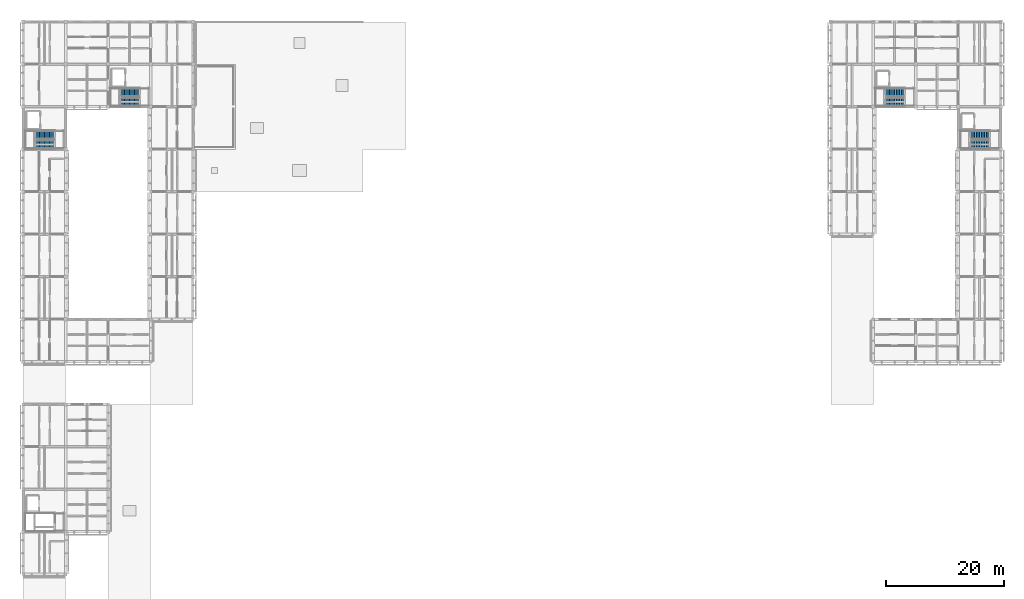
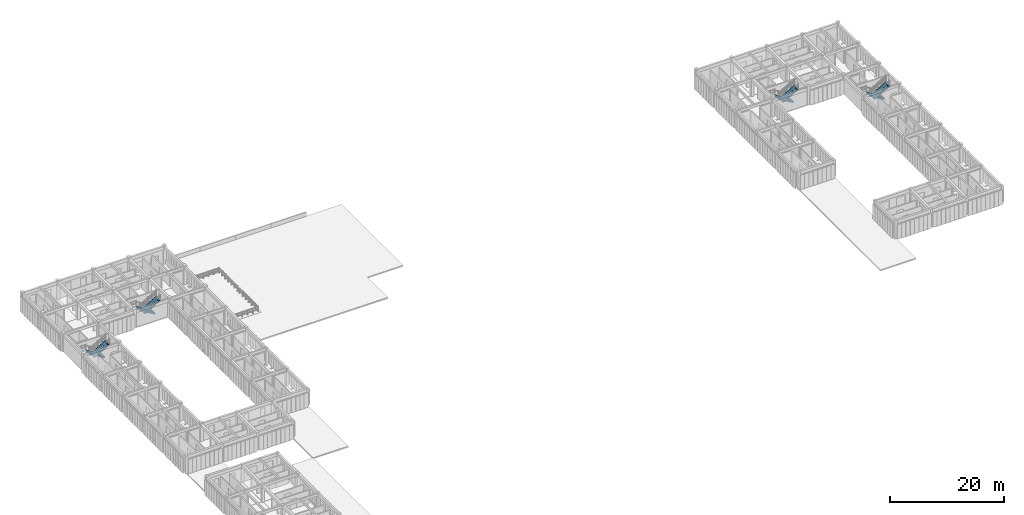
# One storey, part 61 of 67: 8 stair flights, 4 elements without a shape of their own.
"""IFC4 building model written with IfcOpenShell, lengths in metres."""

from ifc_helpers import new_model, si_unit, direction, frame, origin, place, context, subcontext, project, spatial, polyline, outline, extrude, material, type_object, element, aggregate, save


model = new_model("IFC4")

# Units and contexts
model_context = context("Model", 3, precision=1e-05, world=origin(), true_north=direction((0.0, 1.0)))
body_context = subcontext(model_context, "Body", "Model", "MODEL_VIEW")
ifc_project = project(units=[si_unit("LENGTHUNIT", "METRE"), si_unit("AREAUNIT", "SQUARE_METRE"), si_unit("VOLUMEUNIT", "CUBIC_METRE"), si_unit("PLANEANGLEUNIT", "RADIAN"), si_unit("MASSUNIT", "GRAM", prefix="KILO")], contexts=[model_context])

# Site, building, storey
site_placement = place(None, origin())
site = spatial("IfcSite", under=ifc_project, at=site_placement, CompositionType="ELEMENT")
building_placement = place(site_placement, origin())
building = spatial("IfcBuilding", under=site, at=building_placement, Name="Aldebral Square Health Centre", CompositionType="ELEMENT")
storey_placement = place(building_placement, frame((0.0, 0.0, 13.5)))
storey = spatial("IfcBuildingStorey", under=building, at=storey_placement, Name="L03", CompositionType="ELEMENT", Elevation=13.5)

# Stair, stair flights
ifc_material = material(Name="Concrete C35/45", Category="concrete")
stair_type = type_object("IfcStairType", Name="ST-DOG-140", PredefinedType="HALF_TURN_STAIR", material=ifc_material)
stair_1_placement = place(storey_placement, origin())
stair_1 = element("IfcStair", 1, at=stair_1_placement, inside=storey, type_object=stair_type, Name="L03 ST-01", PredefinedType="HALF_TURN_STAIR")
stair_flight_type = type_object("IfcStairFlightType", Name="STF-DOG-140", PredefinedType="STRAIGHT", material=ifc_material)
stair_flight_1_placement = place(storey_placement, frame((5.320068359375, 96.02001953125, 0.0), z_axis=(0.0, 0.0, 1.0), x_axis=(-1.0, 0.0, 0.0)))
stair_flight_1 = element("IfcStairFlight", 2, at=stair_flight_1_placement, type_object=stair_flight_type, Name="ST-01 flight 1", NumberOfRisers=12, NumberOfTreads=11, PredefinedType="STRAIGHT", RiserHeight=0.16875, TreadLength=0.285, context=body_context, shape_type="SweptSolid", body=[
    extrude(outline(polyline([(0.0, 0.0), (0.0, 0.168701171875), (0.284912109375, 0.168701171875), (0.284912109375, 0.33740234375), (0.570068359375, 0.33740234375), (0.570068359375, 0.50634765625), (0.85498046875, 0.50634765625), (0.85498046875, 0.675048828125), (1.139892578125, 0.675048828125), (1.139892578125, 0.84375), (1.425048828125, 0.84375), (1.425048828125, 1.012451171875), (1.7099609375, 1.012451171875), (1.7099609375, 1.18115234375), (1.9951171875, 1.18115234375), (1.9951171875, 1.35009765625), (2.280029296875, 1.35009765625), (2.280029296875, 1.518798828125), (2.56494140625, 1.518798828125), (2.56494140625, 1.6875), (2.85009765625, 1.6875), (2.85009765625, 1.856201171875), (3.135009765625, 1.856201171875), (3.135009765625, 2.02490234375), (3.135009765625, 1.67041015625), (0.31396484375, 0.0), (0.0, 0.0)])), frame((0.0, 0.699951171875, 0.0), z_axis=(0.0, -1.0, 0.0), x_axis=(1.0, 0.0, 0.0)), (0.0, 0.0, 1.0), 1.39990234375),
])
stair_flight_2_placement = place(storey_placement, frame((2.18505859375, 94.419921875, 2.02490234375), z_axis=(0.0, 0.0, 1.0), x_axis=(1.0, 0.0, 0.0)))
stair_flight_2 = element("IfcStairFlight", 3, at=stair_flight_2_placement, type_object=stair_flight_type, Name="ST-01 flight 2", NumberOfRisers=12, NumberOfTreads=11, PredefinedType="STRAIGHT", RiserHeight=0.16875, TreadLength=0.285, context=body_context, shape_type="SweptSolid", body=[
    extrude(outline(polyline([(0.0, 0.0), (0.0, 0.168701171875), (0.284912109375, 0.168701171875), (0.284912109375, 0.33740234375), (0.570068359375, 0.33740234375), (0.570068359375, 0.50634765625), (0.85498046875, 0.50634765625), (0.85498046875, 0.675048828125), (1.139892578125, 0.675048828125), (1.139892578125, 0.84375), (1.425048828125, 0.84375), (1.425048828125, 1.012451171875), (1.7099609375, 1.012451171875), (1.7099609375, 1.18115234375), (1.9951171875, 1.18115234375), (1.9951171875, 1.35009765625), (2.280029296875, 1.35009765625), (2.280029296875, 1.518798828125), (2.56494140625, 1.518798828125), (2.56494140625, 1.6875), (2.85009765625, 1.6875), (2.85009765625, 1.856201171875), (3.135009765625, 1.856201171875), (3.135009765625, 2.02490234375), (3.135009765625, 1.67041015625), (0.31396484375, 0.0), (0.0, 0.0)])), frame((0.0, 0.699951171875, 0.0), z_axis=(0.0, -1.0, 0.0), x_axis=(1.0, 0.0, 0.0)), (0.0, 0.0, 1.0), 1.39990234375),
])
aggregate(stair_1, [stair_flight_1, stair_flight_2])

stair_2_placement = place(storey_placement, origin())
stair_2 = element("IfcStair", 4, at=stair_2_placement, inside=storey, type_object=stair_type, Name="L03 ST-02", PredefinedType="HALF_TURN_STAIR")
stair_flight_3_placement = place(storey_placement, frame((19.719970703125, 103.219970703125, 0.0), z_axis=(0.0, 0.0, 1.0), x_axis=(-1.0, 0.0, 0.0)))
stair_flight_3 = element("IfcStairFlight", 5, at=stair_flight_3_placement, type_object=stair_flight_type, Name="ST-02 flight 1", NumberOfRisers=12, NumberOfTreads=11, PredefinedType="STRAIGHT", RiserHeight=0.16875, TreadLength=0.285, context=body_context, shape_type="SweptSolid", body=[
    extrude(outline(polyline([(0.0, 0.0), (0.0, 0.168701171875), (0.284912109375, 0.168701171875), (0.284912109375, 0.33740234375), (0.570068359375, 0.33740234375), (0.570068359375, 0.50634765625), (0.85498046875, 0.50634765625), (0.85498046875, 0.675048828125), (1.139892578125, 0.675048828125), (1.139892578125, 0.84375), (1.425048828125, 0.84375), (1.425048828125, 1.012451171875), (1.7099609375, 1.012451171875), (1.7099609375, 1.18115234375), (1.9951171875, 1.18115234375), (1.9951171875, 1.35009765625), (2.280029296875, 1.35009765625), (2.280029296875, 1.518798828125), (2.56494140625, 1.518798828125), (2.56494140625, 1.6875), (2.85009765625, 1.6875), (2.85009765625, 1.856201171875), (3.135009765625, 1.856201171875), (3.135009765625, 2.02490234375), (3.135009765625, 1.67041015625), (0.31396484375, 0.0), (0.0, 0.0)])), frame((0.0, 0.699951171875, 0.0), z_axis=(0.0, -1.0, 0.0), x_axis=(1.0, 0.0, 0.0)), (0.0, 0.0, 1.0), 1.39990234375),
])
stair_flight_4_placement = place(storey_placement, frame((16.5849609375, 101.6201171875, 2.02490234375), z_axis=(0.0, 0.0, 1.0), x_axis=(1.0, 0.0, 0.0)))
stair_flight_4 = element("IfcStairFlight", 6, at=stair_flight_4_placement, type_object=stair_flight_type, Name="ST-02 flight 2", NumberOfRisers=12, NumberOfTreads=11, PredefinedType="STRAIGHT", RiserHeight=0.16875, TreadLength=0.285, context=body_context, shape_type="SweptSolid", body=[
    extrude(outline(polyline([(0.0, 0.0), (0.0, 0.168701171875), (0.284912109375, 0.168701171875), (0.284912109375, 0.33740234375), (0.570068359375, 0.33740234375), (0.570068359375, 0.50634765625), (0.85498046875, 0.50634765625), (0.85498046875, 0.675048828125), (1.139892578125, 0.675048828125), (1.139892578125, 0.84375), (1.425048828125, 0.84375), (1.425048828125, 1.012451171875), (1.7099609375, 1.012451171875), (1.7099609375, 1.18115234375), (1.9951171875, 1.18115234375), (1.9951171875, 1.35009765625), (2.280029296875, 1.35009765625), (2.280029296875, 1.518798828125), (2.56494140625, 1.518798828125), (2.56494140625, 1.6875), (2.85009765625, 1.6875), (2.85009765625, 1.856201171875), (3.135009765625, 1.856201171875), (3.135009765625, 2.02490234375), (3.135009765625, 1.67041015625), (0.31396484375, 0.0), (0.0, 0.0)])), frame((0.0, 0.699951171875, 0.0), z_axis=(0.0, -1.0, 0.0), x_axis=(1.0, 0.0, 0.0)), (0.0, 0.0, 1.0), 1.39990234375),
])
aggregate(stair_2, [stair_flight_3, stair_flight_4])

stair_3_placement = place(storey_placement, origin())
stair_3 = element("IfcStair", 7, at=stair_3_placement, inside=storey, type_object=stair_type, Name="L03 ST-03", PredefinedType="HALF_TURN_STAIR")
stair_flight_5_placement = place(storey_placement, frame((163.719970703125, 96.02001953125, 0.0), z_axis=(0.0, 0.0, 1.0), x_axis=(-1.0, 0.0, 0.0)))
stair_flight_5 = element("IfcStairFlight", 8, at=stair_flight_5_placement, type_object=stair_flight_type, Name="ST-03 flight 1", NumberOfRisers=12, NumberOfTreads=11, PredefinedType="STRAIGHT", RiserHeight=0.16875, TreadLength=0.285, context=body_context, shape_type="SweptSolid", body=[
    extrude(outline(polyline([(0.0, 0.0), (0.0, 0.168701171875), (0.284912109375, 0.168701171875), (0.284912109375, 0.33740234375), (0.570068359375, 0.33740234375), (0.570068359375, 0.50634765625), (0.85498046875, 0.50634765625), (0.85498046875, 0.675048828125), (1.139892578125, 0.675048828125), (1.139892578125, 0.84375), (1.425048828125, 0.84375), (1.425048828125, 1.012451171875), (1.7099609375, 1.012451171875), (1.7099609375, 1.18115234375), (1.9951171875, 1.18115234375), (1.9951171875, 1.35009765625), (2.280029296875, 1.35009765625), (2.280029296875, 1.518798828125), (2.56494140625, 1.518798828125), (2.56494140625, 1.6875), (2.85009765625, 1.6875), (2.85009765625, 1.856201171875), (3.135009765625, 1.856201171875), (3.135009765625, 2.02490234375), (3.135009765625, 1.67041015625), (0.31396484375, 0.0), (0.0, 0.0)])), frame((0.0, 0.699951171875, 0.0), z_axis=(0.0, -1.0, 0.0), x_axis=(1.0, 0.0, 0.0)), (0.0, 0.0, 1.0), 1.39990234375),
])
stair_flight_6_placement = place(storey_placement, frame((160.5849609375, 94.419921875, 2.02490234375), z_axis=(0.0, 0.0, 1.0), x_axis=(1.0, 0.0, 0.0)))
stair_flight_6 = element("IfcStairFlight", 9, at=stair_flight_6_placement, type_object=stair_flight_type, Name="ST-03 flight 2", NumberOfRisers=12, NumberOfTreads=11, PredefinedType="STRAIGHT", RiserHeight=0.16875, TreadLength=0.285, context=body_context, shape_type="SweptSolid", body=[
    extrude(outline(polyline([(0.0, 0.0), (0.0, 0.168701171875), (0.284912109375, 0.168701171875), (0.284912109375, 0.33740234375), (0.570068359375, 0.33740234375), (0.570068359375, 0.50634765625), (0.85498046875, 0.50634765625), (0.85498046875, 0.675048828125), (1.139892578125, 0.675048828125), (1.139892578125, 0.84375), (1.425048828125, 0.84375), (1.425048828125, 1.012451171875), (1.7099609375, 1.012451171875), (1.7099609375, 1.18115234375), (1.9951171875, 1.18115234375), (1.9951171875, 1.35009765625), (2.280029296875, 1.35009765625), (2.280029296875, 1.518798828125), (2.56494140625, 1.518798828125), (2.56494140625, 1.6875), (2.85009765625, 1.6875), (2.85009765625, 1.856201171875), (3.135009765625, 1.856201171875), (3.135009765625, 2.02490234375), (3.135009765625, 1.67041015625), (0.31396484375, 0.0), (0.0, 0.0)])), frame((0.0, 0.699951171875, 0.0), z_axis=(0.0, -1.0, 0.0), x_axis=(1.0, 0.0, 0.0)), (0.0, 0.0, 1.0), 1.39990234375),
])
aggregate(stair_3, [stair_flight_5, stair_flight_6])

stair_4_placement = place(storey_placement, origin())
stair_4 = element("IfcStair", 10, at=stair_4_placement, inside=storey, type_object=stair_type, Name="L03 ST-04", PredefinedType="HALF_TURN_STAIR")
stair_flight_7_placement = place(storey_placement, frame((149.320068359375, 103.219970703125, 0.0), z_axis=(0.0, 0.0, 1.0), x_axis=(-1.0, 0.0, 0.0)))
stair_flight_7 = element("IfcStairFlight", 11, at=stair_flight_7_placement, type_object=stair_flight_type, Name="ST-04 flight 1", NumberOfRisers=12, NumberOfTreads=11, PredefinedType="STRAIGHT", RiserHeight=0.16875, TreadLength=0.285, context=body_context, shape_type="SweptSolid", body=[
    extrude(outline(polyline([(0.0, 0.0), (0.0, 0.168701171875), (0.284912109375, 0.168701171875), (0.284912109375, 0.33740234375), (0.570068359375, 0.33740234375), (0.570068359375, 0.50634765625), (0.85498046875, 0.50634765625), (0.85498046875, 0.675048828125), (1.139892578125, 0.675048828125), (1.139892578125, 0.84375), (1.425048828125, 0.84375), (1.425048828125, 1.012451171875), (1.7099609375, 1.012451171875), (1.7099609375, 1.18115234375), (1.9951171875, 1.18115234375), (1.9951171875, 1.35009765625), (2.280029296875, 1.35009765625), (2.280029296875, 1.518798828125), (2.56494140625, 1.518798828125), (2.56494140625, 1.6875), (2.85009765625, 1.6875), (2.85009765625, 1.856201171875), (3.135009765625, 1.856201171875), (3.135009765625, 2.02490234375), (3.135009765625, 1.67041015625), (0.31396484375, 0.0), (0.0, 0.0)])), frame((0.0, 0.699951171875, 0.0), z_axis=(0.0, -1.0, 0.0), x_axis=(1.0, 0.0, 0.0)), (0.0, 0.0, 1.0), 1.39990234375),
])
stair_flight_8_placement = place(storey_placement, frame((146.18505859375, 101.6201171875, 2.02490234375), z_axis=(0.0, 0.0, 1.0), x_axis=(1.0, 0.0, 0.0)))
stair_flight_8 = element("IfcStairFlight", 12, at=stair_flight_8_placement, type_object=stair_flight_type, Name="ST-04 flight 2", NumberOfRisers=12, NumberOfTreads=11, PredefinedType="STRAIGHT", RiserHeight=0.16875, TreadLength=0.285, context=body_context, shape_type="SweptSolid", body=[
    extrude(outline(polyline([(0.0, 0.0), (0.0, 0.168701171875), (0.284912109375, 0.168701171875), (0.284912109375, 0.33740234375), (0.570068359375, 0.33740234375), (0.570068359375, 0.50634765625), (0.85498046875, 0.50634765625), (0.85498046875, 0.675048828125), (1.139892578125, 0.675048828125), (1.139892578125, 0.84375), (1.425048828125, 0.84375), (1.425048828125, 1.012451171875), (1.7099609375, 1.012451171875), (1.7099609375, 1.18115234375), (1.9951171875, 1.18115234375), (1.9951171875, 1.35009765625), (2.280029296875, 1.35009765625), (2.280029296875, 1.518798828125), (2.56494140625, 1.518798828125), (2.56494140625, 1.6875), (2.85009765625, 1.6875), (2.85009765625, 1.856201171875), (3.135009765625, 1.856201171875), (3.135009765625, 2.02490234375), (3.135009765625, 1.67041015625), (0.31396484375, 0.0), (0.0, 0.0)])), frame((0.0, 0.699951171875, 0.0), z_axis=(0.0, -1.0, 0.0), x_axis=(1.0, 0.0, 0.0)), (0.0, 0.0, 1.0), 1.39990234375),
])
aggregate(stair_4, [stair_flight_7, stair_flight_8])

save(model, "model.ifc")
